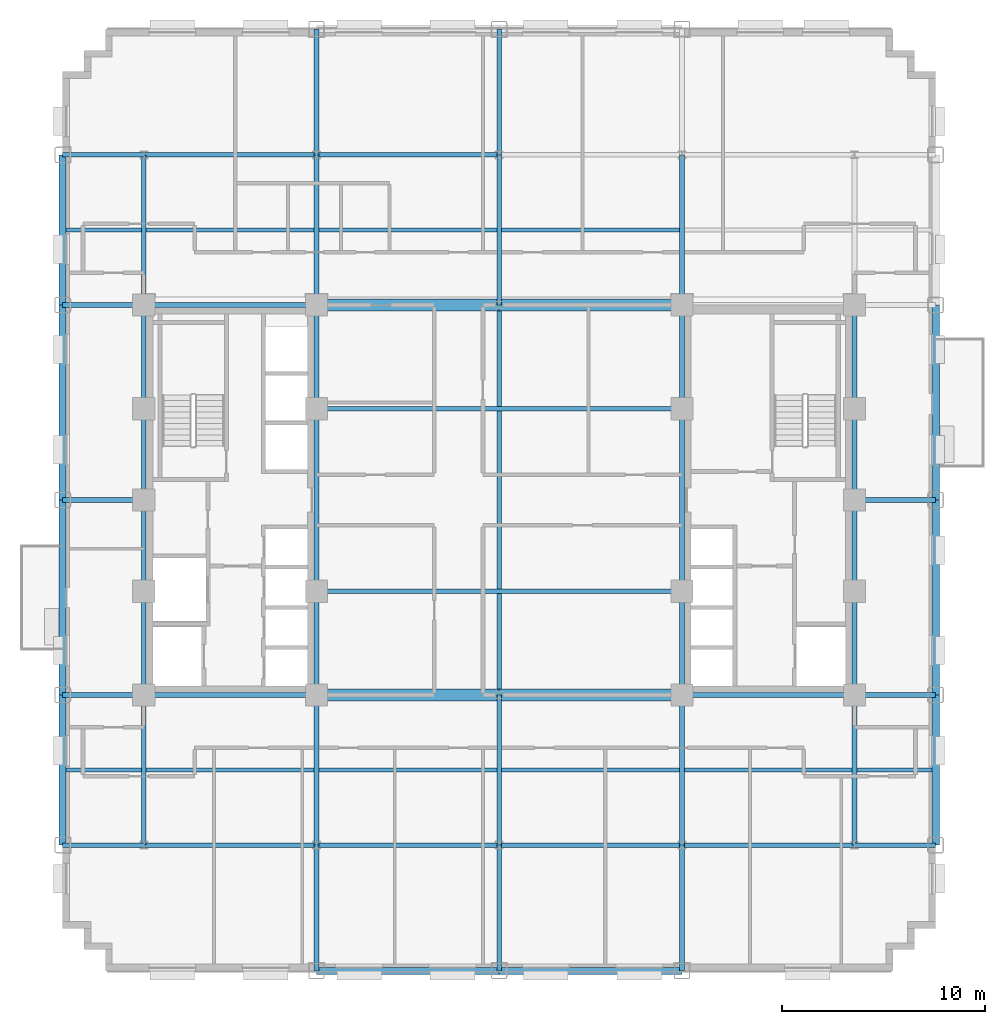
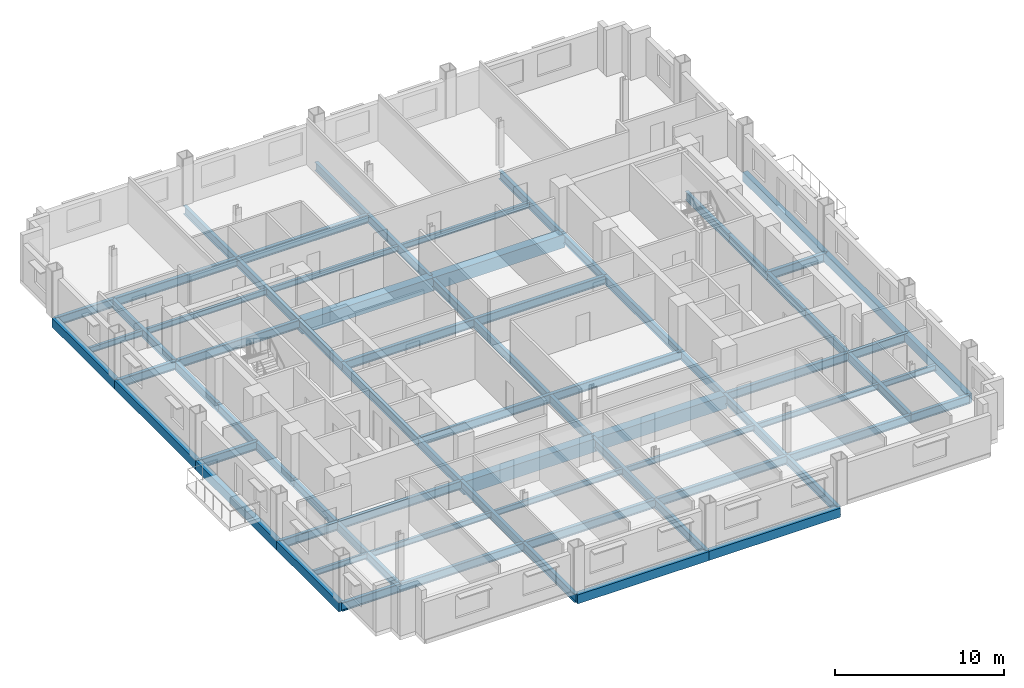
# One storey, part 4 of 14: 71 beams.
"""IFC4 building model written with IfcOpenShell, lengths in metres."""

from ifc_helpers import new_model, si_unit, direction, frame, origin, origin_2d, place, context, subcontext, project, spatial, rectangle, i_section, extrude, material, material_profile, profile_set, type_object, element, save


model = new_model("IFC4")

# Units and contexts
model_context = context("Model", 3, precision=1e-05, world=origin(), true_north=direction((0.0, 1.0)))
body_context = subcontext(model_context, "Body", "Model", "MODEL_VIEW")
ifc_project = project(units=[si_unit("LENGTHUNIT", "METRE"), si_unit("AREAUNIT", "SQUARE_METRE"), si_unit("VOLUMEUNIT", "CUBIC_METRE"), si_unit("PLANEANGLEUNIT", "RADIAN"), si_unit("MASSUNIT", "GRAM", prefix="KILO")], contexts=[model_context])

# Site, building, storey
site_placement = place(None, origin())
site = spatial("IfcSite", under=ifc_project, at=site_placement, CompositionType="ELEMENT")
building_placement = place(site_placement, origin())
building = spatial("IfcBuilding", under=site, at=building_placement, Name="Nuvemarco Arch Tower", CompositionType="ELEMENT")
storey_placement = place(building_placement, frame((0.0, 0.0, 71.39990234375)))
storey = spatial("IfcBuildingStorey", under=building, at=storey_placement, Name="L18", CompositionType="ELEMENT", Elevation=71.39990234375)

# Beams
ifc_material_1 = material(Name="Concrete C60/75", Category="concrete")
ifc_material_profile_1 = material_profile(ifc_material_1, rectangle(XDim=0.60009765625, YDim=0.949951171875, at=origin_2d()), Name="RC-BM-600x950")
ifc_profile_set_1 = profile_set([ifc_material_profile_1], Name="Concrete C60/75")
beam_type_1 = type_object("IfcBeamType", Name="BM-COUP-RC", PredefinedType="LINTEL", material=ifc_profile_set_1)
for number, where, z_axis, x_axis, name in (
    (1, (-9.0, -9.60009765625, -0.7548828125), (1.0, 0.0, 0.0), (0.0, 1.0, 0.0), "L18 structural beam BGEW_L18_0_-9.6_-9.0"),
    (2, (0.0, -9.60009765625, -0.7548828125), (1.0, 0.0, 0.0), (0.0, 1.0, 0.0), "L18 structural beam BGEW_L18_0_-9.6_+0.0"),
    (3, (-9.0, 9.60009765625, -0.7548828125), (1.0, 0.0, 0.0), (0.0, 1.0, 0.0), "L18 structural beam BGEW_L18_0_+9.6_-9.0"),
    (4, (0.0, 9.60009765625, -0.7548828125), (1.0, 0.0, 0.0), (0.0, 1.0, 0.0), "L18 structural beam BGEW_L18_0_+9.6_+0.0"),
):
    element("IfcBeam", number, at=place(storey_placement, frame(where, z_axis=z_axis, x_axis=x_axis)), inside=storey, type_object=beam_type_1, Name=name, PredefinedType="LINTEL", context=body_context, shape_type="SweptSolid", body=[
        extrude(rectangle(XDim=0.60009765625, YDim=0.949951171875, at=origin_2d()), origin(), (0.0, 0.0, 1.0), 9.0),
    ])
ifc_material_2 = material(Name="Steel S355", Category="steel")
ifc_material_profile_2 = material_profile(ifc_material_2, i_section(OverallWidth=0.22998046875, OverallDepth=0.616943359375, WebThickness=0.01318359375, FlangeThickness=0.022216796875, FilletRadius=0.01611328125, at=origin_2d()), Name="W610x140")
ifc_profile_set_2 = profile_set([ifc_material_profile_2], Name="Steel S355")
beam_type_2 = type_object("IfcBeamType", Name="BM-GIRD-610", PredefinedType="BEAM", material=ifc_profile_set_2)
beam_1_placement = place(storey_placement, frame((-17.5, -17.0, -0.58837890625), z_axis=(0.0, 1.0, 0.0), x_axis=(-1.0, 0.0, 0.0)))
element("IfcBeam", 5, at=beam_1_placement, inside=storey, type_object=beam_type_2, Name="L18 structural beam BGNS_L18_0_-17.5_-17.0", PredefinedType="BEAM", context=body_context, shape_type="SweptSolid", body=[
    extrude(i_section(OverallWidth=0.22998046875, OverallDepth=0.616943359375, WebThickness=0.01318359375, FlangeThickness=0.022216796875, FilletRadius=0.01611328125, at=origin_2d()), origin(), (0.0, 0.0, 1.0), 7.39990234375),
])
beam_2_placement = place(storey_placement, frame((-17.5, -9.60009765625, -0.58837890625), z_axis=(0.0, 1.0, 0.0), x_axis=(-1.0, 0.0, 0.0)))
element("IfcBeam", 6, at=beam_2_placement, inside=storey, type_object=beam_type_2, Name="L18 structural beam BGNS_L18_0_-17.5_-9.6", PredefinedType="BEAM", context=body_context, shape_type="SweptSolid", body=[
    extrude(i_section(OverallWidth=0.22998046875, OverallDepth=0.616943359375, WebThickness=0.01318359375, FlangeThickness=0.022216796875, FilletRadius=0.01611328125, at=origin_2d()), origin(), (0.0, 0.0, 1.0), 5.10009765625),
])
for number, where, z_axis, x_axis, name in (
    (7, (-17.5, -4.5, -0.58837890625), (0.0, 1.0, 0.0), (-1.0, 0.0, 0.0), "L18 structural beam BGNS_L18_0_-17.5_-4.5"),
    (8, (-17.5, 0.0, -0.58837890625), (0.0, 1.0, 0.0), (-1.0, 0.0, 0.0), "L18 structural beam BGNS_L18_0_-17.5_+0.0"),
):
    element("IfcBeam", number, at=place(storey_placement, frame(where, z_axis=z_axis, x_axis=x_axis)), inside=storey, type_object=beam_type_2, Name=name, PredefinedType="BEAM", context=body_context, shape_type="SweptSolid", body=[
        extrude(i_section(OverallWidth=0.22998046875, OverallDepth=0.616943359375, WebThickness=0.01318359375, FlangeThickness=0.022216796875, FilletRadius=0.01611328125, at=origin_2d()), origin(), (0.0, 0.0, 1.0), 4.5),
    ])
beam_3_placement = place(storey_placement, frame((-17.5, 4.5, -0.58837890625), z_axis=(0.0, 1.0, 0.0), x_axis=(-1.0, 0.0, 0.0)))
element("IfcBeam", 9, at=beam_3_placement, inside=storey, type_object=beam_type_2, Name="L18 structural beam BGNS_L18_0_-17.5_+4.5", PredefinedType="BEAM", context=body_context, shape_type="SweptSolid", body=[
    extrude(i_section(OverallWidth=0.22998046875, OverallDepth=0.616943359375, WebThickness=0.01318359375, FlangeThickness=0.022216796875, FilletRadius=0.01611328125, at=origin_2d()), origin(), (0.0, 0.0, 1.0), 5.10009765625),
])
beam_4_placement = place(storey_placement, frame((-17.5, 9.60009765625, -0.58837890625), z_axis=(0.0, 1.0, 0.0), x_axis=(-1.0, 0.0, 0.0)))
element("IfcBeam", 10, at=beam_4_placement, inside=storey, type_object=beam_type_2, Name="L18 structural beam BGNS_L18_0_-17.5_+9.6", PredefinedType="BEAM", context=body_context, shape_type="SweptSolid", body=[
    extrude(i_section(OverallWidth=0.22998046875, OverallDepth=0.616943359375, WebThickness=0.01318359375, FlangeThickness=0.022216796875, FilletRadius=0.01611328125, at=origin_2d()), origin(), (0.0, 0.0, 1.0), 7.39990234375),
])
beam_5_placement = place(storey_placement, frame((-9.0, -23.199951171875, -0.58837890625), z_axis=(0.0, 1.0, 0.0), x_axis=(-1.0, 0.0, 0.0)))
element("IfcBeam", 11, at=beam_5_placement, inside=storey, type_object=beam_type_2, Name="L18 structural beam BGNS_L18_0_-9.0_-23.2", PredefinedType="BEAM", context=body_context, shape_type="SweptSolid", body=[
    extrude(i_section(OverallWidth=0.22998046875, OverallDepth=0.616943359375, WebThickness=0.01318359375, FlangeThickness=0.022216796875, FilletRadius=0.01611328125, at=origin_2d()), origin(), (0.0, 0.0, 1.0), 6.199951171875),
])
beam_6_placement = place(storey_placement, frame((-9.0, -17.0, -0.58837890625), z_axis=(0.0, 1.0, 0.0), x_axis=(-1.0, 0.0, 0.0)))
element("IfcBeam", 12, at=beam_6_placement, inside=storey, type_object=beam_type_2, Name="L18 structural beam BGNS_L18_0_-9.0_-17.0", PredefinedType="BEAM", context=body_context, shape_type="SweptSolid", body=[
    extrude(i_section(OverallWidth=0.22998046875, OverallDepth=0.616943359375, WebThickness=0.01318359375, FlangeThickness=0.022216796875, FilletRadius=0.01611328125, at=origin_2d()), origin(), (0.0, 0.0, 1.0), 7.39990234375),
])
beam_7_placement = place(storey_placement, frame((-9.0, -9.60009765625, -0.58837890625), z_axis=(0.0, 1.0, 0.0), x_axis=(-1.0, 0.0, 0.0)))
element("IfcBeam", 13, at=beam_7_placement, inside=storey, type_object=beam_type_2, Name="L18 structural beam BGNS_L18_0_-9.0_-9.6", PredefinedType="BEAM", context=body_context, shape_type="SweptSolid", body=[
    extrude(i_section(OverallWidth=0.22998046875, OverallDepth=0.616943359375, WebThickness=0.01318359375, FlangeThickness=0.022216796875, FilletRadius=0.01611328125, at=origin_2d()), origin(), (0.0, 0.0, 1.0), 5.10009765625),
])
beam_8_placement = place(storey_placement, frame((-9.0, -4.5, -0.58837890625), z_axis=(0.0, 1.0, 0.0), x_axis=(-1.0, 0.0, 0.0)))
element("IfcBeam", 14, at=beam_8_placement, inside=storey, type_object=beam_type_2, Name="L18 structural beam BGNS_L18_0_-9.0_-4.5", PredefinedType="BEAM", context=body_context, shape_type="SweptSolid", body=[
    extrude(i_section(OverallWidth=0.22998046875, OverallDepth=0.616943359375, WebThickness=0.01318359375, FlangeThickness=0.022216796875, FilletRadius=0.01611328125, at=origin_2d()), origin(), (0.0, 0.0, 1.0), 9.0),
])
beam_9_placement = place(storey_placement, frame((-9.0, 4.5, -0.58837890625), z_axis=(0.0, 1.0, 0.0), x_axis=(-1.0, 0.0, 0.0)))
element("IfcBeam", 15, at=beam_9_placement, inside=storey, type_object=beam_type_2, Name="L18 structural beam BGNS_L18_0_-9.0_+4.5", PredefinedType="BEAM", context=body_context, shape_type="SweptSolid", body=[
    extrude(i_section(OverallWidth=0.22998046875, OverallDepth=0.616943359375, WebThickness=0.01318359375, FlangeThickness=0.022216796875, FilletRadius=0.01611328125, at=origin_2d()), origin(), (0.0, 0.0, 1.0), 5.10009765625),
])
beam_10_placement = place(storey_placement, frame((-9.0, 9.60009765625, -0.58837890625), z_axis=(0.0, 1.0, 0.0), x_axis=(-1.0, 0.0, 0.0)))
element("IfcBeam", 16, at=beam_10_placement, inside=storey, type_object=beam_type_2, Name="L18 structural beam BGNS_L18_0_-9.0_+9.6", PredefinedType="BEAM", context=body_context, shape_type="SweptSolid", body=[
    extrude(i_section(OverallWidth=0.22998046875, OverallDepth=0.616943359375, WebThickness=0.01318359375, FlangeThickness=0.022216796875, FilletRadius=0.01611328125, at=origin_2d()), origin(), (0.0, 0.0, 1.0), 7.39990234375),
])
for number, where, z_axis, x_axis, name in (
    (17, (-9.0, 17.0, -0.58837890625), (0.0, 1.0, 0.0), (-1.0, 0.0, 0.0), "L18 structural beam BGNS_L18_0_-9.0_+17.0"),
    (18, (0.0, -23.199951171875, -0.58837890625), (0.0, 1.0, 0.0), (-1.0, 0.0, 0.0), "L18 structural beam BGNS_L18_0_+0.0_-23.2"),
):
    element("IfcBeam", number, at=place(storey_placement, frame(where, z_axis=z_axis, x_axis=x_axis)), inside=storey, type_object=beam_type_2, Name=name, PredefinedType="BEAM", context=body_context, shape_type="SweptSolid", body=[
        extrude(i_section(OverallWidth=0.22998046875, OverallDepth=0.616943359375, WebThickness=0.01318359375, FlangeThickness=0.022216796875, FilletRadius=0.01611328125, at=origin_2d()), origin(), (0.0, 0.0, 1.0), 6.199951171875),
    ])
beam_11_placement = place(storey_placement, frame((0.0, -17.0, -0.58837890625), z_axis=(0.0, 1.0, 0.0), x_axis=(-1.0, 0.0, 0.0)))
element("IfcBeam", 19, at=beam_11_placement, inside=storey, type_object=beam_type_2, Name="L18 structural beam BGNS_L18_0_+0.0_-17.0", PredefinedType="BEAM", context=body_context, shape_type="SweptSolid", body=[
    extrude(i_section(OverallWidth=0.22998046875, OverallDepth=0.616943359375, WebThickness=0.01318359375, FlangeThickness=0.022216796875, FilletRadius=0.01611328125, at=origin_2d()), origin(), (0.0, 0.0, 1.0), 7.39990234375),
])
beam_12_placement = place(storey_placement, frame((0.0, -9.60009765625, -0.58837890625), z_axis=(0.0, 1.0, 0.0), x_axis=(-1.0, 0.0, 0.0)))
element("IfcBeam", 20, at=beam_12_placement, inside=storey, type_object=beam_type_2, Name="L18 structural beam BGNS_L18_0_+0.0_-9.6", PredefinedType="BEAM", context=body_context, shape_type="SweptSolid", body=[
    extrude(i_section(OverallWidth=0.22998046875, OverallDepth=0.616943359375, WebThickness=0.01318359375, FlangeThickness=0.022216796875, FilletRadius=0.01611328125, at=origin_2d()), origin(), (0.0, 0.0, 1.0), 19.2001953125),
])
beam_13_placement = place(storey_placement, frame((0.0, 9.60009765625, -0.58837890625), z_axis=(0.0, 1.0, 0.0), x_axis=(-1.0, 0.0, 0.0)))
element("IfcBeam", 21, at=beam_13_placement, inside=storey, type_object=beam_type_2, Name="L18 structural beam BGNS_L18_0_+0.0_+9.6", PredefinedType="BEAM", context=body_context, shape_type="SweptSolid", body=[
    extrude(i_section(OverallWidth=0.22998046875, OverallDepth=0.616943359375, WebThickness=0.01318359375, FlangeThickness=0.022216796875, FilletRadius=0.01611328125, at=origin_2d()), origin(), (0.0, 0.0, 1.0), 7.39990234375),
])
for number, where, z_axis, x_axis, name in (
    (22, (0.0, 17.0, -0.58837890625), (0.0, 1.0, 0.0), (-1.0, 0.0, 0.0), "L18 structural beam BGNS_L18_0_+0.0_+17.0"),
    (23, (9.0, -23.199951171875, -0.58837890625), (0.0, 1.0, 0.0), (-1.0, 0.0, 0.0), "L18 structural beam BGNS_L18_0_+9.0_-23.2"),
):
    element("IfcBeam", number, at=place(storey_placement, frame(where, z_axis=z_axis, x_axis=x_axis)), inside=storey, type_object=beam_type_2, Name=name, PredefinedType="BEAM", context=body_context, shape_type="SweptSolid", body=[
        extrude(i_section(OverallWidth=0.22998046875, OverallDepth=0.616943359375, WebThickness=0.01318359375, FlangeThickness=0.022216796875, FilletRadius=0.01611328125, at=origin_2d()), origin(), (0.0, 0.0, 1.0), 6.199951171875),
    ])
beam_14_placement = place(storey_placement, frame((9.0, -17.0, -0.58837890625), z_axis=(0.0, 1.0, 0.0), x_axis=(-1.0, 0.0, 0.0)))
element("IfcBeam", 24, at=beam_14_placement, inside=storey, type_object=beam_type_2, Name="L18 structural beam BGNS_L18_0_+9.0_-17.0", PredefinedType="BEAM", context=body_context, shape_type="SweptSolid", body=[
    extrude(i_section(OverallWidth=0.22998046875, OverallDepth=0.616943359375, WebThickness=0.01318359375, FlangeThickness=0.022216796875, FilletRadius=0.01611328125, at=origin_2d()), origin(), (0.0, 0.0, 1.0), 7.39990234375),
])
beam_15_placement = place(storey_placement, frame((9.0, -9.60009765625, -0.58837890625), z_axis=(0.0, 1.0, 0.0), x_axis=(-1.0, 0.0, 0.0)))
element("IfcBeam", 25, at=beam_15_placement, inside=storey, type_object=beam_type_2, Name="L18 structural beam BGNS_L18_0_+9.0_-9.6", PredefinedType="BEAM", context=body_context, shape_type="SweptSolid", body=[
    extrude(i_section(OverallWidth=0.22998046875, OverallDepth=0.616943359375, WebThickness=0.01318359375, FlangeThickness=0.022216796875, FilletRadius=0.01611328125, at=origin_2d()), origin(), (0.0, 0.0, 1.0), 5.10009765625),
])
beam_16_placement = place(storey_placement, frame((9.0, -4.5, -0.58837890625), z_axis=(0.0, 1.0, 0.0), x_axis=(-1.0, 0.0, 0.0)))
element("IfcBeam", 26, at=beam_16_placement, inside=storey, type_object=beam_type_2, Name="L18 structural beam BGNS_L18_0_+9.0_-4.5", PredefinedType="BEAM", context=body_context, shape_type="SweptSolid", body=[
    extrude(i_section(OverallWidth=0.22998046875, OverallDepth=0.616943359375, WebThickness=0.01318359375, FlangeThickness=0.022216796875, FilletRadius=0.01611328125, at=origin_2d()), origin(), (0.0, 0.0, 1.0), 9.0),
])
beam_17_placement = place(storey_placement, frame((9.0, 4.5, -0.58837890625), z_axis=(0.0, 1.0, 0.0), x_axis=(-1.0, 0.0, 0.0)))
element("IfcBeam", 27, at=beam_17_placement, inside=storey, type_object=beam_type_2, Name="L18 structural beam BGNS_L18_0_+9.0_+4.5", PredefinedType="BEAM", context=body_context, shape_type="SweptSolid", body=[
    extrude(i_section(OverallWidth=0.22998046875, OverallDepth=0.616943359375, WebThickness=0.01318359375, FlangeThickness=0.022216796875, FilletRadius=0.01611328125, at=origin_2d()), origin(), (0.0, 0.0, 1.0), 5.10009765625),
])
for number, where, z_axis, x_axis, name in (
    (28, (9.0, 9.60009765625, -0.58837890625), (0.0, 1.0, 0.0), (-1.0, 0.0, 0.0), "L18 structural beam BGNS_L18_0_+9.0_+9.6"),
    (29, (17.5, -17.0, -0.58837890625), (0.0, 1.0, 0.0), (-1.0, 0.0, 0.0), "L18 structural beam BGNS_L18_0_+17.5_-17.0"),
):
    element("IfcBeam", number, at=place(storey_placement, frame(where, z_axis=z_axis, x_axis=x_axis)), inside=storey, type_object=beam_type_2, Name=name, PredefinedType="BEAM", context=body_context, shape_type="SweptSolid", body=[
        extrude(i_section(OverallWidth=0.22998046875, OverallDepth=0.616943359375, WebThickness=0.01318359375, FlangeThickness=0.022216796875, FilletRadius=0.01611328125, at=origin_2d()), origin(), (0.0, 0.0, 1.0), 7.39990234375),
    ])
beam_18_placement = place(storey_placement, frame((17.5, -9.60009765625, -0.58837890625), z_axis=(0.0, 1.0, 0.0), x_axis=(-1.0, 0.0, 0.0)))
element("IfcBeam", 30, at=beam_18_placement, inside=storey, type_object=beam_type_2, Name="L18 structural beam BGNS_L18_0_+17.5_-9.6", PredefinedType="BEAM", context=body_context, shape_type="SweptSolid", body=[
    extrude(i_section(OverallWidth=0.22998046875, OverallDepth=0.616943359375, WebThickness=0.01318359375, FlangeThickness=0.022216796875, FilletRadius=0.01611328125, at=origin_2d()), origin(), (0.0, 0.0, 1.0), 5.10009765625),
])
for number, where, z_axis, x_axis, name in (
    (31, (17.5, -4.5, -0.58837890625), (0.0, 1.0, 0.0), (-1.0, 0.0, 0.0), "L18 structural beam BGNS_L18_0_+17.5_-4.5"),
    (32, (17.5, 0.0, -0.58837890625), (0.0, 1.0, 0.0), (-1.0, 0.0, 0.0), "L18 structural beam BGNS_L18_0_+17.5_+0.0"),
):
    element("IfcBeam", number, at=place(storey_placement, frame(where, z_axis=z_axis, x_axis=x_axis)), inside=storey, type_object=beam_type_2, Name=name, PredefinedType="BEAM", context=body_context, shape_type="SweptSolid", body=[
        extrude(i_section(OverallWidth=0.22998046875, OverallDepth=0.616943359375, WebThickness=0.01318359375, FlangeThickness=0.022216796875, FilletRadius=0.01611328125, at=origin_2d()), origin(), (0.0, 0.0, 1.0), 4.5),
    ])
beam_19_placement = place(storey_placement, frame((17.5, 4.5, -0.58837890625), z_axis=(0.0, 1.0, 0.0), x_axis=(-1.0, 0.0, 0.0)))
element("IfcBeam", 33, at=beam_19_placement, inside=storey, type_object=beam_type_2, Name="L18 structural beam BGNS_L18_0_+17.5_+4.5", PredefinedType="BEAM", context=body_context, shape_type="SweptSolid", body=[
    extrude(i_section(OverallWidth=0.22998046875, OverallDepth=0.616943359375, WebThickness=0.01318359375, FlangeThickness=0.022216796875, FilletRadius=0.01611328125, at=origin_2d()), origin(), (0.0, 0.0, 1.0), 5.10009765625),
])
beam_20_placement = place(storey_placement, frame((-21.5, -17.0, -0.58837890625), z_axis=(1.0, 0.0, 0.0), x_axis=(0.0, 1.0, 0.0)))
element("IfcBeam", 34, at=beam_20_placement, inside=storey, type_object=beam_type_2, Name="L18 structural beam BGEW_L18_0_-17.0_-21.5", PredefinedType="BEAM", context=body_context, shape_type="SweptSolid", body=[
    extrude(i_section(OverallWidth=0.22998046875, OverallDepth=0.616943359375, WebThickness=0.01318359375, FlangeThickness=0.022216796875, FilletRadius=0.01611328125, at=origin_2d()), origin(), (0.0, 0.0, 1.0), 4.0),
])
beam_21_placement = place(storey_placement, frame((-17.5, -17.0, -0.58837890625), z_axis=(1.0, 0.0, 0.0), x_axis=(0.0, 1.0, 0.0)))
element("IfcBeam", 35, at=beam_21_placement, inside=storey, type_object=beam_type_2, Name="L18 structural beam BGEW_L18_0_-17.0_-17.5", PredefinedType="BEAM", context=body_context, shape_type="SweptSolid", body=[
    extrude(i_section(OverallWidth=0.22998046875, OverallDepth=0.616943359375, WebThickness=0.01318359375, FlangeThickness=0.022216796875, FilletRadius=0.01611328125, at=origin_2d()), origin(), (0.0, 0.0, 1.0), 8.5),
])
for number, where, z_axis, x_axis, name in (
    (36, (-9.0, -17.0, -0.58837890625), (1.0, 0.0, 0.0), (0.0, 1.0, 0.0), "L18 structural beam BGEW_L18_0_-17.0_-9.0"),
    (37, (0.0, -17.0, -0.58837890625), (1.0, 0.0, 0.0), (0.0, 1.0, 0.0), "L18 structural beam BGEW_L18_0_-17.0_+0.0"),
):
    element("IfcBeam", number, at=place(storey_placement, frame(where, z_axis=z_axis, x_axis=x_axis)), inside=storey, type_object=beam_type_2, Name=name, PredefinedType="BEAM", context=body_context, shape_type="SweptSolid", body=[
        extrude(i_section(OverallWidth=0.22998046875, OverallDepth=0.616943359375, WebThickness=0.01318359375, FlangeThickness=0.022216796875, FilletRadius=0.01611328125, at=origin_2d()), origin(), (0.0, 0.0, 1.0), 9.0),
    ])
beam_22_placement = place(storey_placement, frame((9.0, -17.0, -0.58837890625), z_axis=(1.0, 0.0, 0.0), x_axis=(0.0, 1.0, 0.0)))
element("IfcBeam", 38, at=beam_22_placement, inside=storey, type_object=beam_type_2, Name="L18 structural beam BGEW_L18_0_-17.0_+9.0", PredefinedType="BEAM", context=body_context, shape_type="SweptSolid", body=[
    extrude(i_section(OverallWidth=0.22998046875, OverallDepth=0.616943359375, WebThickness=0.01318359375, FlangeThickness=0.022216796875, FilletRadius=0.01611328125, at=origin_2d()), origin(), (0.0, 0.0, 1.0), 8.5),
])
for number, where, z_axis, x_axis, name in (
    (39, (17.5, -17.0, -0.58837890625), (1.0, 0.0, 0.0), (0.0, 1.0, 0.0), "L18 structural beam BGEW_L18_0_-17.0_+17.5"),
    (40, (-21.5, -9.60009765625, -0.58837890625), (1.0, 0.0, 0.0), (0.0, 1.0, 0.0), "L18 structural beam BGEW_L18_0_-9.6_-21.5"),
):
    element("IfcBeam", number, at=place(storey_placement, frame(where, z_axis=z_axis, x_axis=x_axis)), inside=storey, type_object=beam_type_2, Name=name, PredefinedType="BEAM", context=body_context, shape_type="SweptSolid", body=[
        extrude(i_section(OverallWidth=0.22998046875, OverallDepth=0.616943359375, WebThickness=0.01318359375, FlangeThickness=0.022216796875, FilletRadius=0.01611328125, at=origin_2d()), origin(), (0.0, 0.0, 1.0), 4.0),
    ])
for number, where, z_axis, x_axis, name in (
    (41, (-17.5, -9.60009765625, -0.58837890625), (1.0, 0.0, 0.0), (0.0, 1.0, 0.0), "L18 structural beam BGEW_L18_0_-9.6_-17.5"),
    (42, (9.0, -9.60009765625, -0.58837890625), (1.0, 0.0, 0.0), (0.0, 1.0, 0.0), "L18 structural beam BGEW_L18_0_-9.6_+9.0"),
):
    element("IfcBeam", number, at=place(storey_placement, frame(where, z_axis=z_axis, x_axis=x_axis)), inside=storey, type_object=beam_type_2, Name=name, PredefinedType="BEAM", context=body_context, shape_type="SweptSolid", body=[
        extrude(i_section(OverallWidth=0.22998046875, OverallDepth=0.616943359375, WebThickness=0.01318359375, FlangeThickness=0.022216796875, FilletRadius=0.01611328125, at=origin_2d()), origin(), (0.0, 0.0, 1.0), 8.5),
    ])
beam_23_placement = place(storey_placement, frame((17.5, -9.60009765625, -0.58837890625), z_axis=(1.0, 0.0, 0.0), x_axis=(0.0, 1.0, 0.0)))
element("IfcBeam", 43, at=beam_23_placement, inside=storey, type_object=beam_type_2, Name="L18 structural beam BGEW_L18_0_-9.6_+17.5", PredefinedType="BEAM", context=body_context, shape_type="SweptSolid", body=[
    extrude(i_section(OverallWidth=0.22998046875, OverallDepth=0.616943359375, WebThickness=0.01318359375, FlangeThickness=0.022216796875, FilletRadius=0.01611328125, at=origin_2d()), origin(), (0.0, 0.0, 1.0), 4.0),
])
beam_24_placement = place(storey_placement, frame((-9.0, -4.5, -0.58837890625), z_axis=(1.0, 0.0, 0.0), x_axis=(0.0, 1.0, 0.0)))
element("IfcBeam", 44, at=beam_24_placement, inside=storey, type_object=beam_type_2, Name="L18 structural beam BGEW_L18_0_-4.5_-9.0", PredefinedType="BEAM", context=body_context, shape_type="SweptSolid", body=[
    extrude(i_section(OverallWidth=0.22998046875, OverallDepth=0.616943359375, WebThickness=0.01318359375, FlangeThickness=0.022216796875, FilletRadius=0.01611328125, at=origin_2d()), origin(), (0.0, 0.0, 1.0), 18.0),
])
for number, where, z_axis, x_axis, name in (
    (45, (-21.5, 0.0, -0.58837890625), (1.0, 0.0, 0.0), (0.0, 1.0, 0.0), "L18 structural beam BGEW_L18_0_+0.0_-21.5"),
    (46, (17.5, 0.0, -0.58837890625), (1.0, 0.0, 0.0), (0.0, 1.0, 0.0), "L18 structural beam BGEW_L18_0_+0.0_+17.5"),
):
    element("IfcBeam", number, at=place(storey_placement, frame(where, z_axis=z_axis, x_axis=x_axis)), inside=storey, type_object=beam_type_2, Name=name, PredefinedType="BEAM", context=body_context, shape_type="SweptSolid", body=[
        extrude(i_section(OverallWidth=0.22998046875, OverallDepth=0.616943359375, WebThickness=0.01318359375, FlangeThickness=0.022216796875, FilletRadius=0.01611328125, at=origin_2d()), origin(), (0.0, 0.0, 1.0), 4.0),
    ])
beam_25_placement = place(storey_placement, frame((-9.0, 4.5, -0.58837890625), z_axis=(1.0, 0.0, 0.0), x_axis=(0.0, 1.0, 0.0)))
element("IfcBeam", 47, at=beam_25_placement, inside=storey, type_object=beam_type_2, Name="L18 structural beam BGEW_L18_0_+4.5_-9.0", PredefinedType="BEAM", context=body_context, shape_type="SweptSolid", body=[
    extrude(i_section(OverallWidth=0.22998046875, OverallDepth=0.616943359375, WebThickness=0.01318359375, FlangeThickness=0.022216796875, FilletRadius=0.01611328125, at=origin_2d()), origin(), (0.0, 0.0, 1.0), 18.0),
])
beam_26_placement = place(storey_placement, frame((-21.5, 9.60009765625, -0.58837890625), z_axis=(1.0, 0.0, 0.0), x_axis=(0.0, 1.0, 0.0)))
element("IfcBeam", 48, at=beam_26_placement, inside=storey, type_object=beam_type_2, Name="L18 structural beam BGEW_L18_0_+9.6_-21.5", PredefinedType="BEAM", context=body_context, shape_type="SweptSolid", body=[
    extrude(i_section(OverallWidth=0.22998046875, OverallDepth=0.616943359375, WebThickness=0.01318359375, FlangeThickness=0.022216796875, FilletRadius=0.01611328125, at=origin_2d()), origin(), (0.0, 0.0, 1.0), 4.0),
])
beam_27_placement = place(storey_placement, frame((-17.5, 9.60009765625, -0.58837890625), z_axis=(1.0, 0.0, 0.0), x_axis=(0.0, 1.0, 0.0)))
element("IfcBeam", 49, at=beam_27_placement, inside=storey, type_object=beam_type_2, Name="L18 structural beam BGEW_L18_0_+9.6_-17.5", PredefinedType="BEAM", context=body_context, shape_type="SweptSolid", body=[
    extrude(i_section(OverallWidth=0.22998046875, OverallDepth=0.616943359375, WebThickness=0.01318359375, FlangeThickness=0.022216796875, FilletRadius=0.01611328125, at=origin_2d()), origin(), (0.0, 0.0, 1.0), 8.5),
])
beam_28_placement = place(storey_placement, frame((-21.5, 17.0, -0.58837890625), z_axis=(1.0, 0.0, 0.0), x_axis=(0.0, 1.0, 0.0)))
element("IfcBeam", 50, at=beam_28_placement, inside=storey, type_object=beam_type_2, Name="L18 structural beam BGEW_L18_0_+17.0_-21.5", PredefinedType="BEAM", context=body_context, shape_type="SweptSolid", body=[
    extrude(i_section(OverallWidth=0.22998046875, OverallDepth=0.616943359375, WebThickness=0.01318359375, FlangeThickness=0.022216796875, FilletRadius=0.01611328125, at=origin_2d()), origin(), (0.0, 0.0, 1.0), 4.0),
])
beam_29_placement = place(storey_placement, frame((-17.5, 17.0, -0.58837890625), z_axis=(1.0, 0.0, 0.0), x_axis=(0.0, 1.0, 0.0)))
element("IfcBeam", 51, at=beam_29_placement, inside=storey, type_object=beam_type_2, Name="L18 structural beam BGEW_L18_0_+17.0_-17.5", PredefinedType="BEAM", context=body_context, shape_type="SweptSolid", body=[
    extrude(i_section(OverallWidth=0.22998046875, OverallDepth=0.616943359375, WebThickness=0.01318359375, FlangeThickness=0.022216796875, FilletRadius=0.01611328125, at=origin_2d()), origin(), (0.0, 0.0, 1.0), 8.5),
])
beam_30_placement = place(storey_placement, frame((-9.0, 17.0, -0.58837890625), z_axis=(1.0, 0.0, 0.0), x_axis=(0.0, 1.0, 0.0)))
element("IfcBeam", 52, at=beam_30_placement, inside=storey, type_object=beam_type_2, Name="L18 structural beam BGEW_L18_0_+17.0_-9.0", PredefinedType="BEAM", context=body_context, shape_type="SweptSolid", body=[
    extrude(i_section(OverallWidth=0.22998046875, OverallDepth=0.616943359375, WebThickness=0.01318359375, FlangeThickness=0.022216796875, FilletRadius=0.01611328125, at=origin_2d()), origin(), (0.0, 0.0, 1.0), 9.0),
])
ifc_material_profile_3 = material_profile(ifc_material_2, i_section(OverallWidth=0.179931640625, OverallDepth=0.4130859375, WebThickness=0.009765625, FlangeThickness=0.01611328125, FilletRadius=0.014892578125, at=origin_2d()), Name="W410x75")
ifc_profile_set_3 = profile_set([ifc_material_profile_3], Name="Steel S355")
beam_type_3 = type_object("IfcBeamType", Name="BM-JOIST-410", PredefinedType="JOIST", material=ifc_profile_set_3)
beam_31_placement = place(storey_placement, frame((-21.324951171875, -13.300048828125, -0.486328125), z_axis=(1.0, 0.0, 0.0), x_axis=(0.0, 1.0, 0.0)))
element("IfcBeam", 53, at=beam_31_placement, inside=storey, type_object=beam_type_3, Name="L18 structural beam BJ_L18_0_-13.3_-21.5", PredefinedType="JOIST", context=body_context, shape_type="SweptSolid", body=[
    extrude(i_section(OverallWidth=0.179931640625, OverallDepth=0.4130859375, WebThickness=0.009765625, FlangeThickness=0.01611328125, FilletRadius=0.014892578125, at=origin_2d()), origin(), (0.0, 0.0, 1.0), 3.7099609375),
])
beam_32_placement = place(storey_placement, frame((-17.385009765625, -13.300048828125, -0.486328125), z_axis=(1.0, 0.0, 0.0), x_axis=(0.0, 1.0, 0.0)))
element("IfcBeam", 54, at=beam_32_placement, inside=storey, type_object=beam_type_3, Name="L18 structural beam BJ_L18_0_-13.3_-17.5", PredefinedType="JOIST", context=body_context, shape_type="SweptSolid", body=[
    extrude(i_section(OverallWidth=0.179931640625, OverallDepth=0.4130859375, WebThickness=0.009765625, FlangeThickness=0.01611328125, FilletRadius=0.014892578125, at=origin_2d()), origin(), (0.0, 0.0, 1.0), 8.27001953125),
])
for number, where, z_axis, x_axis, name in (
    (55, (-8.885009765625, -13.300048828125, -0.486328125), (1.0, 0.0, 0.0), (0.0, 1.0, 0.0), "L18 structural beam BJ_L18_0_-13.3_-9.0"),
    (56, (0.114990234375, -13.300048828125, -0.486328125), (1.0, 0.0, 0.0), (0.0, 1.0, 0.0), "L18 structural beam BJ_L18_0_-13.3_+0.0"),
):
    element("IfcBeam", number, at=place(storey_placement, frame(where, z_axis=z_axis, x_axis=x_axis)), inside=storey, type_object=beam_type_3, Name=name, PredefinedType="JOIST", context=body_context, shape_type="SweptSolid", body=[
        extrude(i_section(OverallWidth=0.179931640625, OverallDepth=0.4130859375, WebThickness=0.009765625, FlangeThickness=0.01611328125, FilletRadius=0.014892578125, at=origin_2d()), origin(), (0.0, 0.0, 1.0), 8.77001953125),
    ])
beam_33_placement = place(storey_placement, frame((9.114990234375, -13.300048828125, -0.486328125), z_axis=(1.0, 0.0, 0.0), x_axis=(0.0, 1.0, 0.0)))
element("IfcBeam", 57, at=beam_33_placement, inside=storey, type_object=beam_type_3, Name="L18 structural beam BJ_L18_0_-13.3_+9.0", PredefinedType="JOIST", context=body_context, shape_type="SweptSolid", body=[
    extrude(i_section(OverallWidth=0.179931640625, OverallDepth=0.4130859375, WebThickness=0.009765625, FlangeThickness=0.01611328125, FilletRadius=0.014892578125, at=origin_2d()), origin(), (0.0, 0.0, 1.0), 8.27001953125),
])
for number, where, z_axis, x_axis, name in (
    (58, (17.614990234375, -13.300048828125, -0.486328125), (1.0, 0.0, 0.0), (0.0, 1.0, 0.0), "L18 structural beam BJ_L18_0_-13.3_+17.5"),
    (59, (-21.324951171875, 13.300048828125, -0.486328125), (1.0, 0.0, 0.0), (0.0, 1.0, 0.0), "L18 structural beam BJ_L18_0_+13.3_-21.5"),
):
    element("IfcBeam", number, at=place(storey_placement, frame(where, z_axis=z_axis, x_axis=x_axis)), inside=storey, type_object=beam_type_3, Name=name, PredefinedType="JOIST", context=body_context, shape_type="SweptSolid", body=[
        extrude(i_section(OverallWidth=0.179931640625, OverallDepth=0.4130859375, WebThickness=0.009765625, FlangeThickness=0.01611328125, FilletRadius=0.014892578125, at=origin_2d()), origin(), (0.0, 0.0, 1.0), 3.7099609375),
    ])
beam_34_placement = place(storey_placement, frame((-17.385009765625, 13.300048828125, -0.486328125), z_axis=(1.0, 0.0, 0.0), x_axis=(0.0, 1.0, 0.0)))
element("IfcBeam", 60, at=beam_34_placement, inside=storey, type_object=beam_type_3, Name="L18 structural beam BJ_L18_0_+13.3_-17.5", PredefinedType="JOIST", context=body_context, shape_type="SweptSolid", body=[
    extrude(i_section(OverallWidth=0.179931640625, OverallDepth=0.4130859375, WebThickness=0.009765625, FlangeThickness=0.01611328125, FilletRadius=0.014892578125, at=origin_2d()), origin(), (0.0, 0.0, 1.0), 8.27001953125),
])
for number, where, z_axis, x_axis, name in (
    (61, (-8.885009765625, 13.300048828125, -0.486328125), (1.0, 0.0, 0.0), (0.0, 1.0, 0.0), "L18 structural beam BJ_L18_0_+13.3_-9.0"),
    (62, (0.114990234375, 13.300048828125, -0.486328125), (1.0, 0.0, 0.0), (0.0, 1.0, 0.0), "L18 structural beam BJ_L18_0_+13.3_+0.0"),
):
    element("IfcBeam", number, at=place(storey_placement, frame(where, z_axis=z_axis, x_axis=x_axis)), inside=storey, type_object=beam_type_3, Name=name, PredefinedType="JOIST", context=body_context, shape_type="SweptSolid", body=[
        extrude(i_section(OverallWidth=0.179931640625, OverallDepth=0.4130859375, WebThickness=0.009765625, FlangeThickness=0.01611328125, FilletRadius=0.014892578125, at=origin_2d()), origin(), (0.0, 0.0, 1.0), 8.77001953125),
    ])
ifc_material_3 = material(Name="Precast concrete C45/55", Category="concrete")
ifc_material_profile_4 = material_profile(ifc_material_3, rectangle(XDim=0.35009765625, YDim=0.64990234375, at=origin_2d()), Name="PC-SP-350x650")
ifc_profile_set_4 = profile_set([ifc_material_profile_4], Name="Precast concrete C45/55")
beam_type_4 = type_object("IfcBeamType", Name="BM-SPAN-RC", PredefinedType="SPANDREL", material=ifc_profile_set_4)
beam_35_placement = place(storey_placement, frame((-21.5, -17.0, -0.60498046875), z_axis=(0.0, 1.0, 0.0), x_axis=(-1.0, 0.0, 0.0)))
element("IfcBeam", 63, at=beam_35_placement, inside=storey, type_object=beam_type_4, Name="L18 structural beam BGNS_L18_0_-21.5_-17.0", PredefinedType="SPANDREL", context=body_context, shape_type="SweptSolid", body=[
    extrude(rectangle(XDim=0.35009765625, YDim=0.64990234375, at=origin_2d()), origin(), (0.0, 0.0, 1.0), 7.39990234375),
])
for number, where, z_axis, x_axis, name in (
    (64, (-21.5, -9.60009765625, -0.60498046875), (0.0, 1.0, 0.0), (-1.0, 0.0, 0.0), "L18 structural beam BGNS_L18_0_-21.5_-9.6"),
    (65, (-21.5, 0.0, -0.60498046875), (0.0, 1.0, 0.0), (-1.0, 0.0, 0.0), "L18 structural beam BGNS_L18_0_-21.5_+0.0"),
):
    element("IfcBeam", number, at=place(storey_placement, frame(where, z_axis=z_axis, x_axis=x_axis)), inside=storey, type_object=beam_type_4, Name=name, PredefinedType="SPANDREL", context=body_context, shape_type="SweptSolid", body=[
        extrude(rectangle(XDim=0.35009765625, YDim=0.64990234375, at=origin_2d()), origin(), (0.0, 0.0, 1.0), 9.60009765625),
    ])
for number, where, z_axis, x_axis, name in (
    (66, (-21.5, 9.60009765625, -0.60498046875), (0.0, 1.0, 0.0), (-1.0, 0.0, 0.0), "L18 structural beam BGNS_L18_0_-21.5_+9.6"),
    (67, (21.5, -17.0, -0.60498046875), (0.0, 1.0, 0.0), (-1.0, 0.0, 0.0), "L18 structural beam BGNS_L18_0_+21.5_-17.0"),
):
    element("IfcBeam", number, at=place(storey_placement, frame(where, z_axis=z_axis, x_axis=x_axis)), inside=storey, type_object=beam_type_4, Name=name, PredefinedType="SPANDREL", context=body_context, shape_type="SweptSolid", body=[
        extrude(rectangle(XDim=0.35009765625, YDim=0.64990234375, at=origin_2d()), origin(), (0.0, 0.0, 1.0), 7.39990234375),
    ])
for number, where, z_axis, x_axis, name in (
    (68, (21.5, -9.60009765625, -0.60498046875), (0.0, 1.0, 0.0), (-1.0, 0.0, 0.0), "L18 structural beam BGNS_L18_0_+21.5_-9.6"),
    (69, (21.5, 0.0, -0.60498046875), (0.0, 1.0, 0.0), (-1.0, 0.0, 0.0), "L18 structural beam BGNS_L18_0_+21.5_+0.0"),
):
    element("IfcBeam", number, at=place(storey_placement, frame(where, z_axis=z_axis, x_axis=x_axis)), inside=storey, type_object=beam_type_4, Name=name, PredefinedType="SPANDREL", context=body_context, shape_type="SweptSolid", body=[
        extrude(rectangle(XDim=0.35009765625, YDim=0.64990234375, at=origin_2d()), origin(), (0.0, 0.0, 1.0), 9.60009765625),
    ])
for number, where, z_axis, x_axis, name in (
    (70, (-9.0, -23.199951171875, -0.60498046875), (1.0, 0.0, 0.0), (0.0, 1.0, 0.0), "L18 structural beam BGEW_L18_0_-23.2_-9.0"),
    (71, (0.0, -23.199951171875, -0.60498046875), (1.0, 0.0, 0.0), (0.0, 1.0, 0.0), "L18 structural beam BGEW_L18_0_-23.2_+0.0"),
):
    element("IfcBeam", number, at=place(storey_placement, frame(where, z_axis=z_axis, x_axis=x_axis)), inside=storey, type_object=beam_type_4, Name=name, PredefinedType="SPANDREL", context=body_context, shape_type="SweptSolid", body=[
        extrude(rectangle(XDim=0.35009765625, YDim=0.64990234375, at=origin_2d()), origin(), (0.0, 0.0, 1.0), 9.0),
    ])

save(model, "model.ifc")
